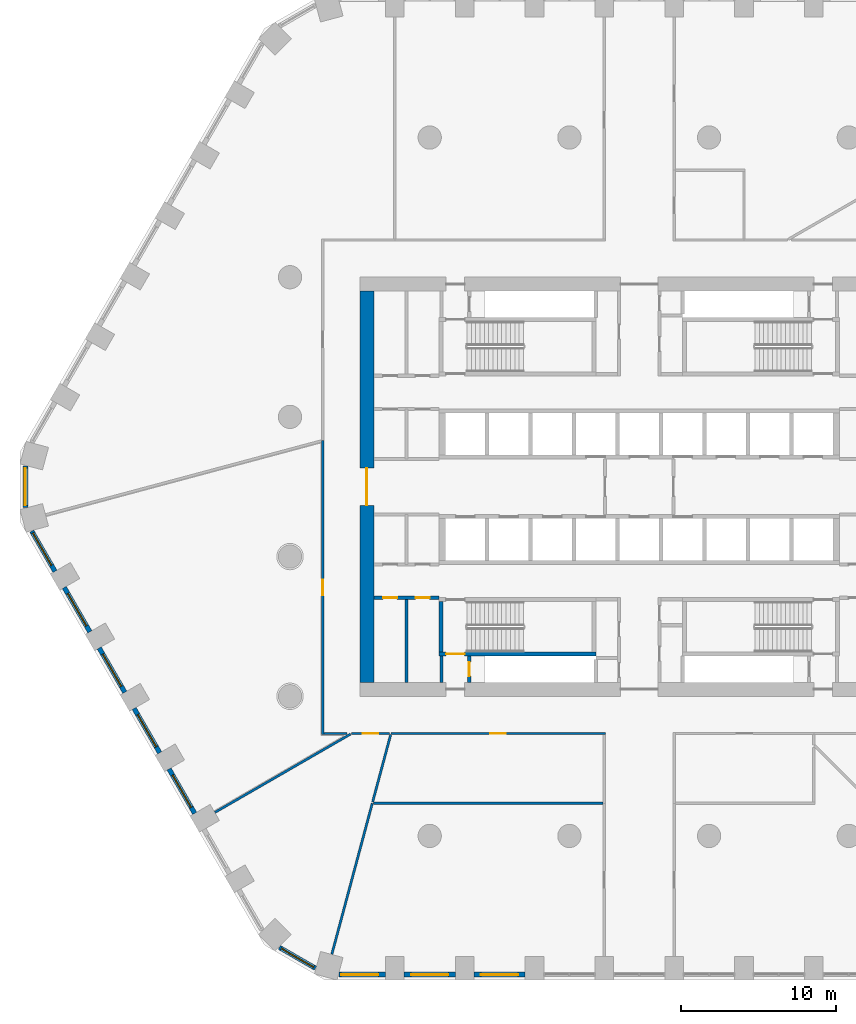
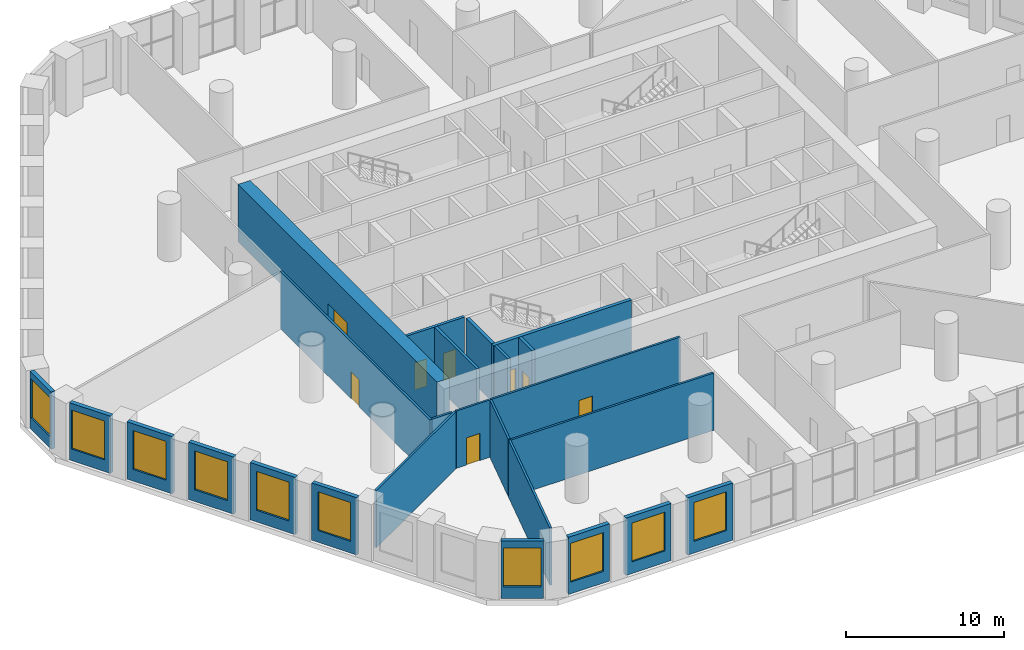
# One storey, part 5 of 13: 25 walls, 10 windows, 8 doors, 18 openings.
"""IFC4 building model written with IfcOpenShell, lengths in metres."""

from ifc_helpers import new_model, si_unit, direction, frame, frame_2d, origin, place, context, subcontext, project, spatial, rectangle, extrude, material, layer, layer_set, type_object, element, fill, save


model = new_model("IFC4")

# Units and contexts
model_context = context("Model", 3, precision=1e-05, world=origin(), true_north=direction((0.0, 1.0)))
body_context = subcontext(model_context, "Body", "Model", "MODEL_VIEW")
ifc_project = project(units=[si_unit("LENGTHUNIT", "METRE"), si_unit("AREAUNIT", "SQUARE_METRE"), si_unit("VOLUMEUNIT", "CUBIC_METRE"), si_unit("PLANEANGLEUNIT", "RADIAN"), si_unit("MASSUNIT", "GRAM", prefix="KILO")], contexts=[model_context])

# Site, building, storey
site_placement = place(None, origin())
site = spatial("IfcSite", under=ifc_project, at=site_placement, CompositionType="ELEMENT")
building_placement = place(site_placement, origin())
building = spatial("IfcBuilding", under=site, at=building_placement, Name="Dhurran Vertical Campus", CompositionType="ELEMENT")
storey_placement = place(building_placement, frame((0.0, 0.0, 25.199951171875)))
storey = spatial("IfcBuildingStorey", under=building, at=storey_placement, Name="L05", CompositionType="ELEMENT", Elevation=25.199951171875)

# Wall, opening, window
ifc_material_1 = material(Name="Precast concrete C50/60", Category="concrete")
ifc_layer_1 = layer(ifc_material_1, 0.300048828125)
ifc_layer_set_1 = layer_set([ifc_layer_1], Name="Precast concrete C50/60")
wall_type_1 = type_object("IfcWallType", Name="Precast spandrel wall 300", PredefinedType="SOLIDWALL", material=ifc_layer_set_1)
wall_1_placement = place(storey_placement, frame((-19.33935546875, -31.4296875, 0.0), z_axis=(0.0, 0.0, 1.0), x_axis=(1.0, 0.0, 0.0)))
wall_1 = element("IfcWall", 1, at=wall_1_placement, inside=storey, type_object=wall_type_1, Name="EW1 L05.00", PredefinedType="SOLIDWALL", context=body_context, shape_type="SweptSolid", body=[
    extrude(rectangle(XDim=2.98876953125, YDim=0.300048828125, at=frame_2d((1.494384765625, 0.0))), origin(), (0.0, 0.0, 1.0), 4.425048828125),
])
opening_1_placement = place(wall_1_placement, frame((0.139404296875, 0.0, 0.89990234375)))
opening_1 = element("IfcOpeningElement", 2, at=opening_1_placement, cuts=wall_1, Name="Opening WT2", PredefinedType="OPENING", context=body_context, shape_type="SweptSolid", body=[
    extrude(rectangle(XDim=2.39990234375, YDim=3.0, at=frame_2d((1.199951171875, 1.5))), frame((0.0, 0.159912109375, 0.0), z_axis=(0.0, -1.0, 0.0), x_axis=(1.0, 0.0, 0.0)), (0.0, 0.0, 1.0), 0.320068359375),
])
ifc_material_2 = material(Name="Aluminium frame with solar-control glass", Category="aluminium")
window_type = type_object("IfcWindowType", Name="Podium window 2400 x 3000", PartitioningType="SINGLE_PANEL", PredefinedType="WINDOW", material=ifc_material_2)
window_1_placement = place(opening_1_placement, origin())
window_1 = element("IfcWindow", 3, at=window_1_placement, inside=storey, type_object=window_type, Name="WT2 L05.00", OverallHeight=3.0, OverallWidth=2.39990234375, PartitioningType="SINGLE_PANEL", PredefinedType="WINDOW", context=body_context, shape_type="SweptSolid", body=[
    extrude(rectangle(XDim=2.39990234375, YDim=3.0, at=frame_2d((1.199951171875, 1.5))), frame((0.0, 0.030029296875, 0.0), z_axis=(0.0, -1.0, 0.0), x_axis=(1.0, 0.0, 0.0)), (0.0, 0.0, 1.0), 0.06005859375),
])
fill(opening_1, window_1)

wall_2_placement = place(storey_placement, frame((-15.1494140625, -31.4296875, 0.0), z_axis=(0.0, 0.0, 1.0), x_axis=(1.0, 0.0, 0.0)))
wall_2 = element("IfcWall", 4, at=wall_2_placement, inside=storey, type_object=wall_type_1, Name="EW1 L05.01", PredefinedType="SOLIDWALL", context=body_context, shape_type="SweptSolid", body=[
    extrude(rectangle(XDim=3.298828125, YDim=0.300048828125, at=frame_2d((1.6494140625, 0.0))), origin(), (0.0, 0.0, 1.0), 4.425048828125),
])
opening_2_placement = place(wall_2_placement, frame((0.449462890625, 0.0, 0.89990234375)))
opening_2 = element("IfcOpeningElement", 5, at=opening_2_placement, cuts=wall_2, Name="Opening WT2", PredefinedType="OPENING", context=body_context, shape_type="SweptSolid", body=[
    extrude(rectangle(XDim=2.39990234375, YDim=3.0, at=frame_2d((1.199951171875, 1.5))), frame((0.0, 0.159912109375, 0.0), z_axis=(0.0, -1.0, 0.0), x_axis=(1.0, 0.0, 0.0)), (0.0, 0.0, 1.0), 0.320068359375),
])
window_2_placement = place(opening_2_placement, origin())
window_2 = element("IfcWindow", 6, at=window_2_placement, inside=storey, type_object=window_type, Name="WT2 L05.01", OverallHeight=3.0, OverallWidth=2.39990234375, PartitioningType="SINGLE_PANEL", PredefinedType="WINDOW", context=body_context, shape_type="SweptSolid", body=[
    extrude(rectangle(XDim=2.39990234375, YDim=3.0, at=frame_2d((1.199951171875, 1.5))), frame((0.0, 0.030029296875, 0.0), z_axis=(0.0, -1.0, 0.0), x_axis=(1.0, 0.0, 0.0)), (0.0, 0.0, 1.0), 0.06005859375),
])
fill(opening_2, window_2)

wall_3_placement = place(storey_placement, frame((-10.6494140625, -31.4296875, 0.0), z_axis=(0.0, 0.0, 1.0), x_axis=(1.0, 0.0, 0.0)))
wall_3 = element("IfcWall", 7, at=wall_3_placement, inside=storey, type_object=wall_type_1, Name="EW1 L05.02", PredefinedType="SOLIDWALL", context=body_context, shape_type="SweptSolid", body=[
    extrude(rectangle(XDim=3.298828125, YDim=0.300048828125, at=frame_2d((1.6494140625, 0.0))), origin(), (0.0, 0.0, 1.0), 4.425048828125),
])
opening_3_placement = place(wall_3_placement, frame((0.449462890625, 0.0, 0.89990234375)))
opening_3 = element("IfcOpeningElement", 8, at=opening_3_placement, cuts=wall_3, Name="Opening WT2", PredefinedType="OPENING", context=body_context, shape_type="SweptSolid", body=[
    extrude(rectangle(XDim=2.39990234375, YDim=3.0, at=frame_2d((1.199951171875, 1.5))), frame((0.0, 0.159912109375, 0.0), z_axis=(0.0, -1.0, 0.0), x_axis=(1.0, 0.0, 0.0)), (0.0, 0.0, 1.0), 0.320068359375),
])
window_3_placement = place(opening_3_placement, origin())
window_3 = element("IfcWindow", 9, at=window_3_placement, inside=storey, type_object=window_type, Name="WT2 L05.02", OverallHeight=3.0, OverallWidth=2.39990234375, PartitioningType="SINGLE_PANEL", PredefinedType="WINDOW", context=body_context, shape_type="SweptSolid", body=[
    extrude(rectangle(XDim=2.39990234375, YDim=3.0, at=frame_2d((1.199951171875, 1.5))), frame((0.0, 0.030029296875, 0.0), z_axis=(0.0, -1.0, 0.0), x_axis=(1.0, 0.0, 0.0)), (0.0, 0.0, 1.0), 0.06005859375),
])
fill(opening_3, window_3)

wall_4_placement = place(storey_placement, frame((-39.547119140625, 1.33935546875, 0.0), z_axis=(0.0, 0.0, 1.0), x_axis=(0.0, -1.0, 0.0)))
wall_4 = element("IfcWall", 10, at=wall_4_placement, inside=storey, type_object=wall_type_1, Name="EW1 L05.43", PredefinedType="SOLIDWALL", context=body_context, shape_type="SweptSolid", body=[
    extrude(rectangle(XDim=2.6787109375, YDim=0.300048828125, at=frame_2d((1.33935546875, 0.0))), origin(), (0.0, 0.0, 1.0), 4.425048828125),
])
opening_4_placement = place(wall_4_placement, frame((0.139404296875, 0.0, 0.89990234375)))
opening_4 = element("IfcOpeningElement", 11, at=opening_4_placement, cuts=wall_4, Name="Opening WT2", PredefinedType="OPENING", context=body_context, shape_type="SweptSolid", body=[
    extrude(rectangle(XDim=2.39990234375, YDim=3.0, at=frame_2d((1.199951171875, 1.5))), frame((0.0, 0.159912109375, 0.0), z_axis=(0.0, -1.0, 0.0), x_axis=(1.0, 0.0, 0.0)), (0.0, 0.0, 1.0), 0.320068359375),
])
window_4_placement = place(opening_4_placement, origin())
window_4 = element("IfcWindow", 12, at=window_4_placement, inside=storey, type_object=window_type, Name="WT2 L05.43", OverallHeight=3.0, OverallWidth=2.39990234375, PartitioningType="SINGLE_PANEL", PredefinedType="WINDOW", context=body_context, shape_type="SweptSolid", body=[
    extrude(rectangle(XDim=2.39990234375, YDim=3.0, at=frame_2d((1.199951171875, 1.5))), frame((0.0, 0.030029296875, 0.0), z_axis=(0.0, -1.0, 0.0), x_axis=(1.0, 0.0, 0.0)), (0.0, 0.0, 1.0), 0.06005859375),
])
fill(opening_4, window_4)

wall_5_placement = place(storey_placement, frame((-39.138671875, -2.86376953125, 0.0), z_axis=(0.0, 0.0, 1.0), x_axis=(0.49999586137, -0.866027793211, 0.0)))
wall_5 = element("IfcWall", 13, at=wall_5_placement, inside=storey, type_object=wall_type_1, Name="EW1 L05.44", PredefinedType="SOLIDWALL", context=body_context, shape_type="SweptSolid", body=[
    extrude(rectangle(XDim=2.98876953125, YDim=0.300048828125, at=frame_2d((1.494384765625, 0.0))), origin(), (0.0, 0.0, 1.0), 4.425048828125),
])
opening_5_placement = place(wall_5_placement, frame((0.139404296875, 0.0, 0.89990234375)))
opening_5 = element("IfcOpeningElement", 14, at=opening_5_placement, cuts=wall_5, Name="Opening WT2", PredefinedType="OPENING", context=body_context, shape_type="SweptSolid", body=[
    extrude(rectangle(XDim=2.39990234375, YDim=3.0, at=frame_2d((1.199951171875, 1.5))), frame((0.0, 0.159912109375, 0.0), z_axis=(0.0, -1.0, 0.0), x_axis=(1.0, 0.0, 0.0)), (0.0, 0.0, 1.0), 0.320068359375),
])
window_5_placement = place(opening_5_placement, origin())
window_5 = element("IfcWindow", 15, at=window_5_placement, inside=storey, type_object=window_type, Name="WT2 L05.44", OverallHeight=3.0, OverallWidth=2.39990234375, PartitioningType="SINGLE_PANEL", PredefinedType="WINDOW", context=body_context, shape_type="SweptSolid", body=[
    extrude(rectangle(XDim=2.39990234375, YDim=3.0, at=frame_2d((1.199951171875, 1.5))), frame((0.0, 0.030029296875, 0.0), z_axis=(0.0, -1.0, 0.0), x_axis=(1.0, 0.0, 0.0)), (0.0, 0.0, 1.0), 0.06005859375),
])
fill(opening_5, window_5)

wall_6_placement = place(storey_placement, frame((-37.043701171875, -6.4921875, 0.0), z_axis=(0.0, 0.0, 1.0), x_axis=(0.499991515992, -0.866030301974, 0.0)))
wall_6 = element("IfcWall", 16, at=wall_6_placement, inside=storey, type_object=wall_type_1, Name="EW1 L05.45", PredefinedType="SOLIDWALL", context=body_context, shape_type="SweptSolid", body=[
    extrude(rectangle(XDim=3.298828125, YDim=0.300048828125, at=frame_2d((1.6494140625, 0.0))), origin(), (0.0, 0.0, 1.0), 4.425048828125),
])
opening_6_placement = place(wall_6_placement, frame((0.449462890625, 0.0, 0.89990234375)))
opening_6 = element("IfcOpeningElement", 17, at=opening_6_placement, cuts=wall_6, Name="Opening WT2", PredefinedType="OPENING", context=body_context, shape_type="SweptSolid", body=[
    extrude(rectangle(XDim=2.39990234375, YDim=3.0, at=frame_2d((1.199951171875, 1.5))), frame((0.0, 0.159912109375, 0.0), z_axis=(0.0, -1.0, 0.0), x_axis=(1.0, 0.0, 0.0)), (0.0, 0.0, 1.0), 0.320068359375),
])
window_6_placement = place(opening_6_placement, origin())
window_6 = element("IfcWindow", 18, at=window_6_placement, inside=storey, type_object=window_type, Name="WT2 L05.45", OverallHeight=3.0, OverallWidth=2.39990234375, PartitioningType="SINGLE_PANEL", PredefinedType="WINDOW", context=body_context, shape_type="SweptSolid", body=[
    extrude(rectangle(XDim=2.39990234375, YDim=3.0, at=frame_2d((1.199951171875, 1.5))), frame((0.0, 0.030029296875, 0.0), z_axis=(0.0, -1.0, 0.0), x_axis=(1.0, 0.0, 0.0)), (0.0, 0.0, 1.0), 0.06005859375),
])
fill(opening_6, window_6)

wall_7_placement = place(storey_placement, frame((-34.793701171875, -10.389404296875, 0.0), z_axis=(0.0, 0.0, 1.0), x_axis=(0.499991515992, -0.866030301974, 0.0)))
wall_7 = element("IfcWall", 19, at=wall_7_placement, inside=storey, type_object=wall_type_1, Name="EW1 L05.46", PredefinedType="SOLIDWALL", context=body_context, shape_type="SweptSolid", body=[
    extrude(rectangle(XDim=3.298828125, YDim=0.300048828125, at=frame_2d((1.6494140625, 0.0))), origin(), (0.0, 0.0, 1.0), 4.425048828125),
])
opening_7_placement = place(wall_7_placement, frame((0.449462890625, 0.0, 0.89990234375)))
opening_7 = element("IfcOpeningElement", 20, at=opening_7_placement, cuts=wall_7, Name="Opening WT2", PredefinedType="OPENING", context=body_context, shape_type="SweptSolid", body=[
    extrude(rectangle(XDim=2.39990234375, YDim=3.0, at=frame_2d((1.199951171875, 1.5))), frame((0.0, 0.159912109375, 0.0), z_axis=(0.0, -1.0, 0.0), x_axis=(1.0, 0.0, 0.0)), (0.0, 0.0, 1.0), 0.320068359375),
])
window_7_placement = place(opening_7_placement, origin())
window_7 = element("IfcWindow", 21, at=window_7_placement, inside=storey, type_object=window_type, Name="WT2 L05.46", OverallHeight=3.0, OverallWidth=2.39990234375, PartitioningType="SINGLE_PANEL", PredefinedType="WINDOW", context=body_context, shape_type="SweptSolid", body=[
    extrude(rectangle(XDim=2.39990234375, YDim=3.0, at=frame_2d((1.199951171875, 1.5))), frame((0.0, 0.030029296875, 0.0), z_axis=(0.0, -1.0, 0.0), x_axis=(1.0, 0.0, 0.0)), (0.0, 0.0, 1.0), 0.06005859375),
])
fill(opening_7, window_7)

wall_8_placement = place(storey_placement, frame((-32.543701171875, -14.286376953125, 0.0), z_axis=(0.0, 0.0, 1.0), x_axis=(0.499991515992, -0.866030301974, 0.0)))
wall_8 = element("IfcWall", 22, at=wall_8_placement, inside=storey, type_object=wall_type_1, Name="EW1 L05.47", PredefinedType="SOLIDWALL", context=body_context, shape_type="SweptSolid", body=[
    extrude(rectangle(XDim=3.298828125, YDim=0.300048828125, at=frame_2d((1.6494140625, 0.0))), origin(), (0.0, 0.0, 1.0), 4.425048828125),
])
opening_8_placement = place(wall_8_placement, frame((0.449462890625, 0.0, 0.89990234375)))
opening_8 = element("IfcOpeningElement", 23, at=opening_8_placement, cuts=wall_8, Name="Opening WT2", PredefinedType="OPENING", context=body_context, shape_type="SweptSolid", body=[
    extrude(rectangle(XDim=2.39990234375, YDim=3.0, at=frame_2d((1.199951171875, 1.5))), frame((0.0, 0.159912109375, 0.0), z_axis=(0.0, -1.0, 0.0), x_axis=(1.0, 0.0, 0.0)), (0.0, 0.0, 1.0), 0.320068359375),
])
window_8_placement = place(opening_8_placement, origin())
window_8 = element("IfcWindow", 24, at=window_8_placement, inside=storey, type_object=window_type, Name="WT2 L05.47", OverallHeight=3.0, OverallWidth=2.39990234375, PartitioningType="SINGLE_PANEL", PredefinedType="WINDOW", context=body_context, shape_type="SweptSolid", body=[
    extrude(rectangle(XDim=2.39990234375, YDim=3.0, at=frame_2d((1.199951171875, 1.5))), frame((0.0, 0.030029296875, 0.0), z_axis=(0.0, -1.0, 0.0), x_axis=(1.0, 0.0, 0.0)), (0.0, 0.0, 1.0), 0.06005859375),
])
fill(opening_8, window_8)

wall_9_placement = place(storey_placement, frame((-30.293701171875, -18.18359375, 0.0), z_axis=(0.0, 0.0, 1.0), x_axis=(0.499991515992, -0.866030301974, 0.0)))
wall_9 = element("IfcWall", 25, at=wall_9_placement, inside=storey, type_object=wall_type_1, Name="EW1 L05.48", PredefinedType="SOLIDWALL", context=body_context, shape_type="SweptSolid", body=[
    extrude(rectangle(XDim=3.298828125, YDim=0.300048828125, at=frame_2d((1.6494140625, 0.0))), origin(), (0.0, 0.0, 1.0), 4.425048828125),
])
opening_9_placement = place(wall_9_placement, frame((0.449462890625, 0.0, 0.89990234375)))
opening_9 = element("IfcOpeningElement", 26, at=opening_9_placement, cuts=wall_9, Name="Opening WT2", PredefinedType="OPENING", context=body_context, shape_type="SweptSolid", body=[
    extrude(rectangle(XDim=2.39990234375, YDim=3.0, at=frame_2d((1.199951171875, 1.5))), frame((0.0, 0.159912109375, 0.0), z_axis=(0.0, -1.0, 0.0), x_axis=(1.0, 0.0, 0.0)), (0.0, 0.0, 1.0), 0.320068359375),
])
window_9_placement = place(opening_9_placement, origin())
window_9 = element("IfcWindow", 27, at=window_9_placement, inside=storey, type_object=window_type, Name="WT2 L05.48", OverallHeight=3.0, OverallWidth=2.39990234375, PartitioningType="SINGLE_PANEL", PredefinedType="WINDOW", context=body_context, shape_type="SweptSolid", body=[
    extrude(rectangle(XDim=2.39990234375, YDim=3.0, at=frame_2d((1.199951171875, 1.5))), frame((0.0, 0.030029296875, 0.0), z_axis=(0.0, -1.0, 0.0), x_axis=(1.0, 0.0, 0.0)), (0.0, 0.0, 1.0), 0.06005859375),
])
fill(opening_9, window_9)

wall_10_placement = place(storey_placement, frame((-23.183349609375, -29.681884765625, 0.0), z_axis=(0.0, 0.0, 1.0), x_axis=(0.866001915448, -0.500040680786, 0.0)))
wall_10 = element("IfcWall", 28, at=wall_10_placement, inside=storey, type_object=wall_type_1, Name="EW1 L05.51", PredefinedType="SOLIDWALL", context=body_context, shape_type="SweptSolid", body=[
    extrude(rectangle(XDim=2.678466796875, YDim=0.300048828125, at=frame_2d((1.33935546875, 0.0))), origin(), (0.0, 0.0, 1.0), 4.425048828125),
])
opening_10_placement = place(wall_10_placement, frame((0.139404296875, 0.0, 0.89990234375)))
opening_10 = element("IfcOpeningElement", 29, at=opening_10_placement, cuts=wall_10, Name="Opening WT2", PredefinedType="OPENING", context=body_context, shape_type="SweptSolid", body=[
    extrude(rectangle(XDim=2.39990234375, YDim=3.0, at=frame_2d((1.199951171875, 1.5))), frame((0.0, 0.159912109375, 0.0), z_axis=(0.0, -1.0, 0.0), x_axis=(1.0, 0.0, 0.0)), (0.0, 0.0, 1.0), 0.320068359375),
])
window_10_placement = place(opening_10_placement, origin())
window_10 = element("IfcWindow", 30, at=window_10_placement, inside=storey, type_object=window_type, Name="WT2 L05.51", OverallHeight=3.0, OverallWidth=2.39990234375, PartitioningType="SINGLE_PANEL", PredefinedType="WINDOW", context=body_context, shape_type="SweptSolid", body=[
    extrude(rectangle(XDim=2.39990234375, YDim=3.0, at=frame_2d((1.199951171875, 1.5))), frame((0.0, 0.030029296875, 0.0), z_axis=(0.0, -1.0, 0.0), x_axis=(1.0, 0.0, 0.0)), (0.0, 0.0, 1.0), 0.06005859375),
])
fill(opening_10, window_10)

# Wall, opening, door
ifc_material_3 = material(Name="Concrete C60/75", Category="concrete")
ifc_layer_2 = layer(ifc_material_3, 0.89990234375)
ifc_layer_set_2 = layer_set([ifc_layer_2], Name="Concrete C60/75")
wall_type_2 = type_object("IfcWallType", Name="co-CORE-WALL-C0-900", PredefinedType="SHEAR", material=ifc_layer_set_2)
wall_11_placement = place(storey_placement, frame((-17.550048828125, -12.60009765625, 0.0), z_axis=(0.0, 0.0, 1.0), x_axis=(0.0, 1.0, 0.0)))
wall_11 = element("IfcWall", 31, at=wall_11_placement, inside=storey, type_object=wall_type_2, Name="Core wall W L05", PredefinedType="SHEAR", context=body_context, shape_type="SweptSolid", body=[
    extrude(rectangle(XDim=25.2001953125, YDim=0.89990234375, at=frame_2d((12.60009765625, 0.0))), origin(), (0.0, 0.0, 1.0), 4.425048828125),
])
opening_11_placement = place(wall_11_placement, frame((11.39990234375, 0.0, 0.0)))
opening_11 = element("IfcOpeningElement", 32, at=opening_11_placement, cuts=wall_11, Name="Opening CL1", PredefinedType="OPENING", context=body_context, shape_type="SweptSolid", body=[
    extrude(rectangle(XDim=2.39990234375, YDim=2.10009765625, at=frame_2d((1.199951171875, 1.050048828125))), frame((0.0, 0.4599609375, 0.0), z_axis=(0.0, -1.0, 0.0), x_axis=(1.0, 0.0, 0.0)), (0.0, 0.0, 1.0), 0.919921875),
])
ifc_material_4 = material(Name="Fire-rated glazed door set")
door_type_1 = type_object("IfcDoorType", Name="co-D-LOBBY 2400x2100", OperationType="DOUBLE_DOOR_DOUBLE_SWING", PredefinedType="DOOR", material=ifc_material_4)
door_1_placement = place(opening_11_placement, origin())
door_1 = element("IfcDoor", 33, at=door_1_placement, inside=storey, type_object=door_type_1, Name="Lift lobby door W L05", OperationType="DOUBLE_DOOR_DOUBLE_SWING", OverallHeight=2.10009765625, OverallWidth=2.39990234375, PredefinedType="DOOR", context=body_context, shape_type="SweptSolid", body=[
    extrude(rectangle(XDim=2.39990234375, YDim=2.10009765625, at=frame_2d((1.199951171875, 1.050048828125))), frame((0.0, 0.02490234375, 0.0), z_axis=(0.0, -1.0, 0.0), x_axis=(1.0, 0.0, 0.0)), (0.0, 0.0, 1.0), 0.050048828125),
])
fill(opening_11, door_1)

# Wall
ifc_material_5 = material(Name="Fire-rated masonry blockwork", Category="masonry")
ifc_layer_3 = layer(ifc_material_5, 0.199951171875)
ifc_layer_set_3 = layer_set([ifc_layer_3], Name="Fire-rated masonry blockwork")
wall_type_3 = type_object("IfcWallType", Name="co-FIRE-PARTITION-200", PredefinedType="PARTITIONING", material=ifc_layer_set_3)
wall_12_placement = place(storey_placement, frame((-12.75, -12.60009765625, 0.0), z_axis=(0.0, 0.0, 1.0), x_axis=(0.0, 1.0, 0.0)))
element("IfcWall", 34, at=wall_12_placement, inside=storey, type_object=wall_type_3, Name="Core partition pass-ST3-o L05", PredefinedType="PARTITIONING", context=body_context, shape_type="SweptSolid", body=[
    extrude(rectangle(XDim=1.7001953125, YDim=0.199951171875, at=frame_2d((0.85009765625, 0.0))), origin(), (0.0, 0.0, 1.0), 4.425048828125),
])

# Wall, opening, door
wall_13_placement = place(storey_placement, frame((-10.949951171875, -12.60009765625, 0.0), z_axis=(0.0, 0.0, 1.0), x_axis=(0.0, 1.0, 0.0)))
wall_13 = element("IfcWall", 35, at=wall_13_placement, inside=storey, type_object=wall_type_3, Name="Core partition pass-ST3-i L05", PredefinedType="PARTITIONING", context=body_context, shape_type="SweptSolid", body=[
    extrude(rectangle(XDim=1.7001953125, YDim=0.199951171875, at=frame_2d((0.85009765625, 0.0))), origin(), (0.0, 0.0, 1.0), 4.425048828125),
])
opening_12_placement = place(wall_13_placement, frame((0.39990234375, 0.0, 0.0)))
opening_12 = element("IfcOpeningElement", 36, at=opening_12_placement, cuts=wall_13, Name="Opening PD05-C10", PredefinedType="OPENING", context=body_context, shape_type="SweptSolid", body=[
    extrude(rectangle(XDim=0.89990234375, YDim=2.10009765625, at=frame_2d((0.449951171875, 1.050048828125))), frame((0.0, 0.10986328125, 0.0), z_axis=(0.0, -1.0, 0.0), x_axis=(1.0, 0.0, 0.0)), (0.0, 0.0, 1.0), 0.219970703125),
])
ifc_material_6 = material(Name="Fire-rated timber door set", Category="wood")
door_type_2 = type_object("IfcDoorType", Name="co-D-ROOM 900x2100", OperationType="SINGLE_SWING_LEFT", PredefinedType="DOOR", material=ifc_material_6)
door_2_placement = place(opening_12_placement, origin())
door_2 = element("IfcDoor", 37, at=door_2_placement, inside=storey, type_object=door_type_2, Name="Riser room door L05", OperationType="SINGLE_SWING_LEFT", OverallHeight=2.10009765625, OverallWidth=0.89990234375, PredefinedType="DOOR", context=body_context, shape_type="SweptSolid", body=[
    extrude(rectangle(XDim=0.89990234375, YDim=2.10009765625, at=frame_2d((0.449951171875, 1.050048828125))), frame((0.0, 0.02490234375, 0.0), z_axis=(0.0, -1.0, 0.0), x_axis=(1.0, 0.0, 0.0)), (0.0, 0.0, 1.0), 0.050048828125),
])
fill(opening_12, door_2)

# Wall
wall_14_placement = place(storey_placement, frame((-15.0, -12.60009765625, 0.0), z_axis=(0.0, 0.0, 1.0), x_axis=(0.0, 1.0, 0.0)))
element("IfcWall", 38, at=wall_14_placement, inside=storey, type_object=wall_type_3, Name="Core partition en-SW-cut0 L05", PredefinedType="PARTITIONING", context=body_context, shape_type="SweptSolid", body=[
    extrude(rectangle(XDim=5.4501953125, YDim=0.199951171875, at=frame_2d((2.72509765625, 0.0))), origin(), (0.0, 0.0, 1.0), 4.425048828125),
])

# Wall, openings, doors
wall_15_placement = place(storey_placement, frame((-17.10009765625, -7.14990234375, 0.0), z_axis=(0.0, 0.0, 1.0), x_axis=(1.0, 0.0, 0.0)))
wall_15 = element("IfcWall", 39, at=wall_15_placement, inside=storey, type_object=wall_type_3, Name="Core partition en-SW-w L05", PredefinedType="PARTITIONING", context=body_context, shape_type="SweptSolid", body=[
    extrude(rectangle(XDim=4.2001953125, YDim=0.199951171875, at=frame_2d((2.10009765625, 0.0))), origin(), (0.0, 0.0, 1.0), 4.425048828125),
])
opening_13_placement = place(wall_15_placement, frame((0.60009765625, 0.0, 0.0)))
opening_13 = element("IfcOpeningElement", 40, at=opening_13_placement, cuts=wall_15, Name="Opening PD05-C18", PredefinedType="OPENING", context=body_context, shape_type="SweptSolid", body=[
    extrude(rectangle(XDim=0.89990234375, YDim=2.10009765625, at=frame_2d((0.449951171875, 1.050048828125))), frame((0.0, 0.10986328125, 0.0), z_axis=(0.0, -1.0, 0.0), x_axis=(1.0, 0.0, 0.0)), (0.0, 0.0, 1.0), 0.219970703125),
])
opening_14_placement = place(wall_15_placement, frame((2.699951171875, 0.0, 0.0)))
opening_14 = element("IfcOpeningElement", 41, at=opening_14_placement, cuts=wall_15, Name="Opening PD05-C19", PredefinedType="OPENING", context=body_context, shape_type="SweptSolid", body=[
    extrude(rectangle(XDim=0.89990234375, YDim=2.10009765625, at=frame_2d((0.449951171875, 1.050048828125))), frame((0.0, 0.10986328125, 0.0), z_axis=(0.0, -1.0, 0.0), x_axis=(1.0, 0.0, 0.0)), (0.0, 0.0, 1.0), 0.219970703125),
])
door_3_placement = place(opening_13_placement, origin())
door_3 = element("IfcDoor", 42, at=door_3_placement, inside=storey, type_object=door_type_2, Name="Waste room door L05", OperationType="SINGLE_SWING_LEFT", OverallHeight=2.10009765625, OverallWidth=0.89990234375, PredefinedType="DOOR", context=body_context, shape_type="SweptSolid", body=[
    extrude(rectangle(XDim=0.89990234375, YDim=2.10009765625, at=frame_2d((0.449951171875, 1.050048828125))), frame((0.0, 0.02490234375, 0.0), z_axis=(0.0, -1.0, 0.0), x_axis=(1.0, 0.0, 0.0)), (0.0, 0.0, 1.0), 0.050048828125),
])
fill(opening_13, door_3)
door_4_placement = place(opening_14_placement, origin())
door_4 = element("IfcDoor", 43, at=door_4_placement, inside=storey, type_object=door_type_2, Name="Cleaner's store door L05", OperationType="SINGLE_SWING_LEFT", OverallHeight=2.10009765625, OverallWidth=0.89990234375, PredefinedType="DOOR", context=body_context, shape_type="SweptSolid", body=[
    extrude(rectangle(XDim=0.89990234375, YDim=2.10009765625, at=frame_2d((0.449951171875, 1.050048828125))), frame((0.0, 0.02490234375, 0.0), z_axis=(0.0, -1.0, 0.0), x_axis=(1.0, 0.0, 0.0)), (0.0, 0.0, 1.0), 0.050048828125),
])
fill(opening_14, door_4)

# Wall, opening, door
ifc_material_7 = material(Name="Concrete C40/50", Category="concrete")
ifc_layer_4 = layer(ifc_material_7, 0.25)
ifc_layer_set_4 = layer_set([ifc_layer_4], Name="Concrete C40/50")
wall_type_4 = type_object("IfcWallType", Name="co-STAIR-WALL-250", PredefinedType="SHEAR", material=ifc_layer_set_4)
wall_16_placement = place(storey_placement, frame((-12.89990234375, -10.77490234375, 0.0), z_axis=(0.0, 0.0, 1.0), x_axis=(1.0, 0.0, 0.0)))
wall_16 = element("IfcWall", 44, at=wall_16_placement, inside=storey, type_object=wall_type_4, Name="Stair ST3 enclosure wall L05", PredefinedType="SHEAR", context=body_context, shape_type="SweptSolid", body=[
    extrude(rectangle(XDim=10.099853515625, YDim=0.25, at=frame_2d((5.0498046875, 0.0))), origin(), (0.0, 0.0, 1.0), 4.425048828125),
])
opening_15_placement = place(wall_16_placement, frame((0.449951171875, 0.0, 0.0)))
opening_15 = element("IfcOpeningElement", 45, at=opening_15_placement, cuts=wall_16, Name="Opening XS3", PredefinedType="OPENING", context=body_context, shape_type="SweptSolid", body=[
    extrude(rectangle(XDim=1.199951171875, YDim=2.10009765625, at=frame_2d((0.60009765625, 1.050048828125))), frame((0.0, 0.135009765625, 0.0), z_axis=(0.0, -1.0, 0.0), x_axis=(1.0, 0.0, 0.0)), (0.0, 0.0, 1.0), 0.27001953125),
])
ifc_material_8 = material(Name="Fire-rated steel door set", Category="steel")
door_type_3 = type_object("IfcDoorType", Name="co-D-STAIR-EXIT 1200x2100", OperationType="SINGLE_SWING_RIGHT", PredefinedType="DOOR", material=ifc_material_8)
door_5_placement = place(opening_15_placement, origin())
door_5 = element("IfcDoor", 46, at=door_5_placement, inside=storey, type_object=door_type_3, Name="Stair ST3 discharge door L05", OperationType="SINGLE_SWING_RIGHT", OverallHeight=2.10009765625, OverallWidth=1.199951171875, PredefinedType="DOOR", context=body_context, shape_type="SweptSolid", body=[
    extrude(rectangle(XDim=1.199951171875, YDim=2.10009765625, at=frame_2d((0.60009765625, 1.050048828125))), frame((0.0, 0.02490234375, 0.0), z_axis=(0.0, -1.0, 0.0), x_axis=(1.0, 0.0, 0.0)), (0.0, 0.0, 1.0), 0.050048828125),
])
fill(opening_15, door_5)

# Wall
wall_17_placement = place(storey_placement, frame((-12.77490234375, -10.64990234375, 0.0), z_axis=(0.0, 0.0, 1.0), x_axis=(0.0, 1.0, 0.0)))
element("IfcWall", 47, at=wall_17_placement, inside=storey, type_object=wall_type_4, Name="Stair ST3 enclosure wall L05", PredefinedType="SHEAR", context=body_context, shape_type="SweptSolid", body=[
    extrude(rectangle(XDim=3.25, YDim=0.25, at=frame_2d((1.625, 0.0))), origin(), (0.0, 0.0, 1.0), 4.425048828125),
])

# Wall, opening, door
ifc_material_9 = material(Name="Gypsum board corridor wall on steel studs", Category="steel")
ifc_layer_5 = layer(ifc_material_9, 0.14990234375)
ifc_layer_set_5 = layer_set([ifc_layer_5], Name="Gypsum board corridor wall on steel studs")
wall_type_5 = type_object("IfcWallType", Name="fl-CW-150 corridor wall", PredefinedType="PARTITIONING", material=ifc_layer_set_5)
wall_18_placement = place(storey_placement, frame((-20.39990234375, 2.97412109375, 0.0), z_axis=(0.0, 0.0, 1.0), x_axis=(0.0, -1.0, 0.0)))
wall_18 = element("IfcWall", 48, at=wall_18_placement, inside=storey, type_object=wall_type_5, Name="Partition 05-03", PredefinedType="PARTITIONING", context=body_context, shape_type="SweptSolid", body=[
    extrude(rectangle(XDim=18.94921875, YDim=0.14990234375, at=frame_2d((9.474609375, 0.0))), origin(), (0.0, 0.0, 1.0), 4.425048828125),
])
opening_16_placement = place(wall_18_placement, frame((8.974609375, 0.0, 0.0)))
opening_16 = element("IfcOpeningElement", 49, at=opening_16_placement, cuts=wall_18, Name="Opening PD05.01", PredefinedType="OPENING", context=body_context, shape_type="SweptSolid", body=[
    extrude(rectangle(XDim=1.0, YDim=2.10009765625, at=frame_2d((0.5, 1.050048828125))), frame((0.0, 0.0849609375, 0.0), z_axis=(0.0, -1.0, 0.0), x_axis=(1.0, 0.0, 0.0)), (0.0, 0.0, 1.0), 0.169921875),
])
ifc_material_10 = material(Name="Solid-core timber door set, fire-rated", Category="wood")
door_type_4 = type_object("IfcDoorType", Name="fl-D-1000x2100", OperationType="SINGLE_SWING_LEFT", PredefinedType="DOOR", material=ifc_material_10)
door_6_placement = place(opening_16_placement, origin())
door_6 = element("IfcDoor", 50, at=door_6_placement, inside=storey, type_object=door_type_4, Name="Door 05.01", OperationType="SINGLE_SWING_LEFT", OverallHeight=2.10009765625, OverallWidth=1.0, PredefinedType="DOOR", context=body_context, shape_type="SweptSolid", body=[
    extrude(rectangle(XDim=1.0, YDim=2.10009765625, at=frame_2d((0.5, 1.050048828125))), frame((0.0, 0.02490234375, 0.0), z_axis=(0.0, -1.0, 0.0), x_axis=(1.0, 0.0, 0.0)), (0.0, 0.0, 1.0), 0.050048828125),
])
fill(opening_16, door_6)

# Wall
wall_19_placement = place(storey_placement, frame((-20.324951171875, -15.89990234375, 0.0), z_axis=(0.0, 0.0, 1.0), x_axis=(1.0, 0.0, 0.0)))
element("IfcWall", 51, at=wall_19_placement, inside=storey, type_object=wall_type_5, Name="Partition 05-04", PredefinedType="PARTITIONING", context=body_context, shape_type="SweptSolid", body=[
    extrude(rectangle(XDim=1.510009765625, YDim=0.14990234375, at=frame_2d((0.7548828125, 0.0))), origin(), (0.0, 0.0, 1.0), 4.425048828125),
])

# Wall, opening, door
wall_20_placement = place(storey_placement, frame((-18.5400390625, -15.89990234375, 0.0), z_axis=(0.0, 0.0, 1.0), x_axis=(1.0, 0.0, 0.0)))
wall_20 = element("IfcWall", 52, at=wall_20_placement, inside=storey, type_object=wall_type_5, Name="Partition 05-08", PredefinedType="PARTITIONING", context=body_context, shape_type="SweptSolid", body=[
    extrude(rectangle(XDim=2.449951171875, YDim=0.14990234375, at=frame_2d((1.22509765625, 0.0))), origin(), (0.0, 0.0, 1.0), 4.425048828125),
])
opening_17_placement = place(wall_20_placement, frame((0.72509765625, 0.0, 0.0)))
opening_17 = element("IfcOpeningElement", 53, at=opening_17_placement, cuts=wall_20, Name="Opening PD05.03", PredefinedType="OPENING", context=body_context, shape_type="SweptSolid", body=[
    extrude(rectangle(XDim=1.0, YDim=2.10009765625, at=frame_2d((0.5, 1.050048828125))), frame((0.0, 0.0849609375, 0.0), z_axis=(0.0, -1.0, 0.0), x_axis=(1.0, 0.0, 0.0)), (0.0, 0.0, 1.0), 0.169921875),
])
door_7_placement = place(opening_17_placement, origin())
door_7 = element("IfcDoor", 54, at=door_7_placement, inside=storey, type_object=door_type_4, Name="Door 05.03", OperationType="SINGLE_SWING_LEFT", OverallHeight=2.10009765625, OverallWidth=1.0, PredefinedType="DOOR", context=body_context, shape_type="SweptSolid", body=[
    extrude(rectangle(XDim=1.0, YDim=2.10009765625, at=frame_2d((0.5, 1.050048828125))), frame((0.0, 0.02490234375, 0.0), z_axis=(0.0, -1.0, 0.0), x_axis=(1.0, 0.0, 0.0)), (0.0, 0.0, 1.0), 0.050048828125),
])
fill(opening_17, door_7)

wall_21_placement = place(storey_placement, frame((-15.9951171875, -15.89990234375, 0.0), z_axis=(0.0, 0.0, 1.0), x_axis=(1.0, 0.0, 0.0)))
wall_21 = element("IfcWall", 55, at=wall_21_placement, inside=storey, type_object=wall_type_5, Name="Partition 05-11", PredefinedType="PARTITIONING", context=body_context, shape_type="SweptSolid", body=[
    extrude(rectangle(XDim=13.820068359375, YDim=0.14990234375, at=frame_2d((6.91015625, 0.0))), origin(), (0.0, 0.0, 1.0), 4.425048828125),
])
opening_18_placement = place(wall_21_placement, frame((6.409912109375, 0.0, 0.0)))
opening_18 = element("IfcOpeningElement", 56, at=opening_18_placement, cuts=wall_21, Name="Opening PD05.05", PredefinedType="OPENING", context=body_context, shape_type="SweptSolid", body=[
    extrude(rectangle(XDim=1.0, YDim=2.10009765625, at=frame_2d((0.5, 1.050048828125))), frame((0.0, 0.0849609375, 0.0), z_axis=(0.0, -1.0, 0.0), x_axis=(1.0, 0.0, 0.0)), (0.0, 0.0, 1.0), 0.169921875),
])
door_8_placement = place(opening_18_placement, origin())
door_8 = element("IfcDoor", 57, at=door_8_placement, inside=storey, type_object=door_type_4, Name="Door 05.05", OperationType="SINGLE_SWING_RIGHT", OverallHeight=2.10009765625, OverallWidth=1.0, PredefinedType="DOOR", context=body_context, shape_type="SweptSolid", body=[
    extrude(rectangle(XDim=1.0, YDim=2.10009765625, at=frame_2d((0.5, 1.050048828125))), frame((0.0, 0.02490234375, 0.0), z_axis=(0.0, -1.0, 0.0), x_axis=(1.0, 0.0, 0.0)), (0.0, 0.0, 1.0), 0.050048828125),
])
fill(opening_18, door_8)

# Walls
ifc_material_11 = material(Name="Gypsum board partition on steel studs", Category="steel")
ifc_layer_6 = layer(ifc_material_11, 0.14990234375)
ifc_layer_set_6 = layer_set([ifc_layer_6], Name="Gypsum board partition on steel studs")
wall_type_6 = type_object("IfcWallType", Name="fl-PW-150 fixed partition", PredefinedType="PARTITIONING", material=ifc_layer_set_6)
wall_22_placement = place(storey_placement, frame((-18.60498046875, -15.9375, 0.0), z_axis=(0.0, 0.0, 1.0), x_axis=(-0.865988664976, -0.500063628085, 0.0)))
element("IfcWall", 58, at=wall_22_placement, inside=storey, type_object=wall_type_6, Name="Partition 05-02", PredefinedType="PARTITIONING", context=body_context, shape_type="SweptSolid", body=[
    extrude(rectangle(XDim=10.075927734375, YDim=0.14990234375, at=frame_2d((5.0380859375, 0.0))), origin(), (0.0, 0.0, 1.0), 4.425048828125),
])
wall_23_placement = place(storey_placement, frame((-17.200927734375, -20.39990234375, 0.0), z_axis=(0.0, 0.0, 1.0), x_axis=(-0.258837572796, -0.965920861618, 0.0)))
element("IfcWall", 59, at=wall_23_placement, inside=storey, type_object=wall_type_6, Name="Partition 05-07", PredefinedType="PARTITIONING", context=body_context, shape_type="SweptSolid", body=[
    extrude(rectangle(XDim=10.060302734375, YDim=0.14990234375, at=frame_2d((5.0302734375, 0.0))), origin(), (0.0, 0.0, 1.0), 4.425048828125),
])
wall_24_placement = place(storey_placement, frame((-16.014404296875, -15.972412109375, 0.0), z_axis=(0.0, 0.0, 1.0), x_axis=(-0.258894670978, -0.965905559224, 0.0)))
element("IfcWall", 60, at=wall_24_placement, inside=storey, type_object=wall_type_6, Name="Partition 05-09", PredefinedType="PARTITIONING", context=body_context, shape_type="SweptSolid", body=[
    extrude(rectangle(XDim=4.48876953125, YDim=0.14990234375, at=frame_2d((2.244384765625, 0.0))), origin(), (0.0, 0.0, 1.0), 4.425048828125),
])
wall_25_placement = place(storey_placement, frame((-17.1259765625, -20.39990234375, 0.0), z_axis=(0.0, 0.0, 1.0), x_axis=(1.0, 0.0, 0.0)))
element("IfcWall", 61, at=wall_25_placement, inside=storey, type_object=wall_type_6, Name="Partition 05-10", PredefinedType="PARTITIONING", context=body_context, shape_type="SweptSolid", body=[
    extrude(rectangle(XDim=14.801025390625, YDim=0.14990234375, at=frame_2d((7.400390625, 0.0))), origin(), (0.0, 0.0, 1.0), 4.425048828125),
])

save(model, "model.ifc")
